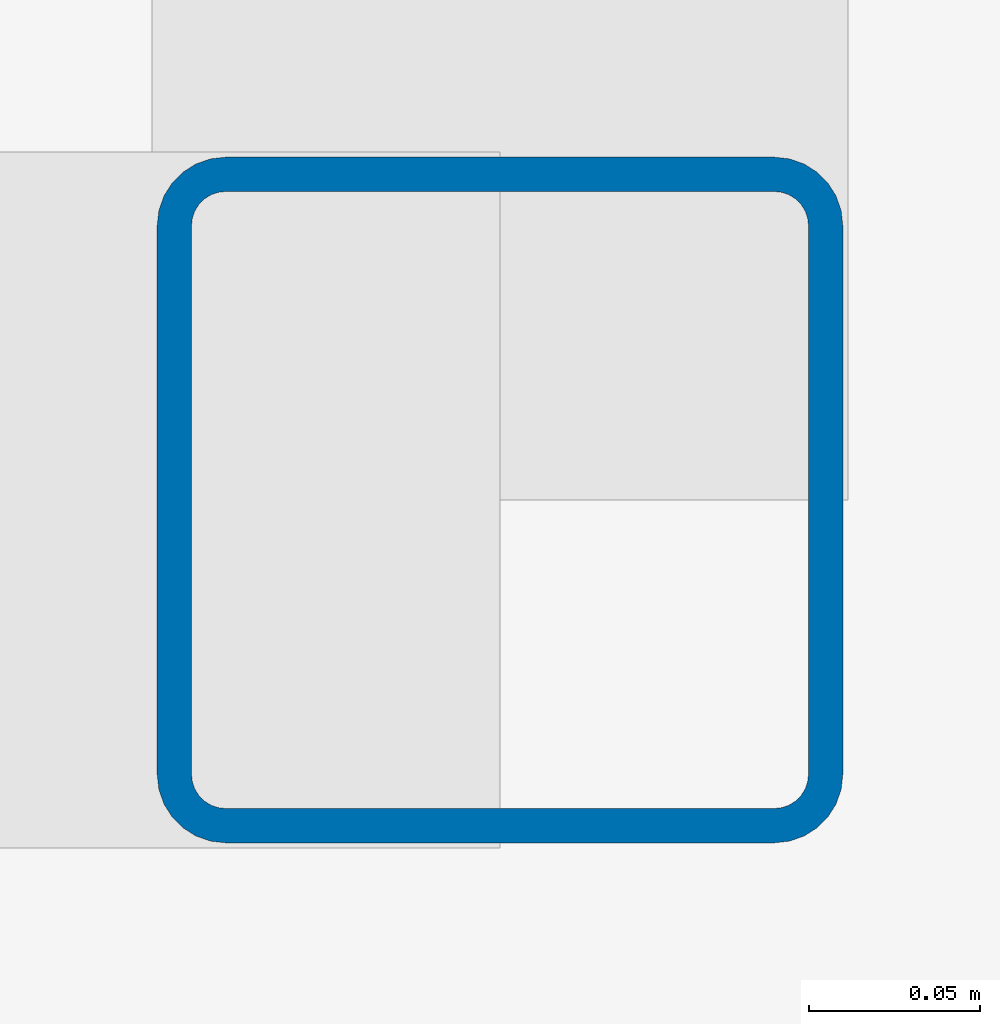
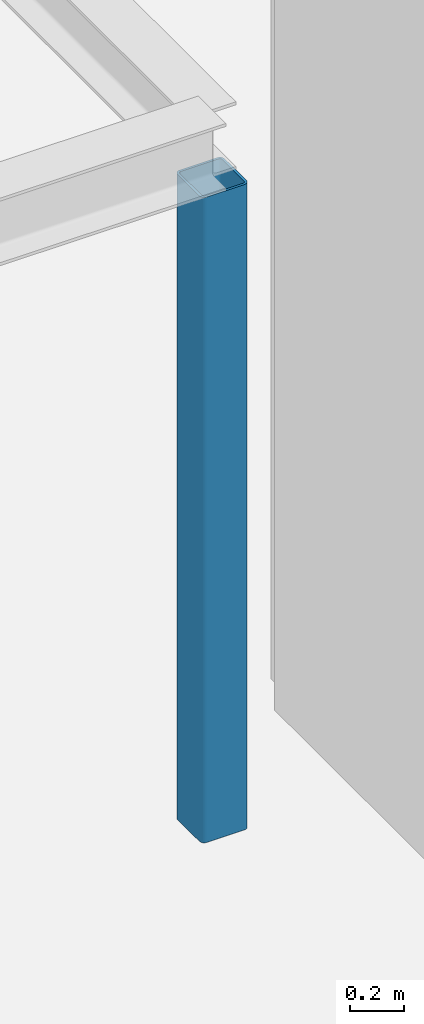
# One storey, part 5 of 49: 1 column.
"""IFC4 building model written with IfcOpenShell, lengths in metres."""

from ifc_helpers import new_model, si_unit, direction, frame, origin, origin_2d, place, context, subcontext, project, spatial, hollow_rectangle, extrude, material, material_profile, profile_set, type_object, element, save


model = new_model("IFC4")

# Units and contexts
model_context = context("Model", 3, precision=1e-05, world=origin(), true_north=direction((0.0, 1.0)))
body_context = subcontext(model_context, "Body", "Model", "MODEL_VIEW")
ifc_project = project(units=[si_unit("LENGTHUNIT", "METRE"), si_unit("AREAUNIT", "SQUARE_METRE"), si_unit("VOLUMEUNIT", "CUBIC_METRE"), si_unit("PLANEANGLEUNIT", "RADIAN"), si_unit("MASSUNIT", "GRAM", prefix="KILO")], contexts=[model_context])

# Site, building, storey
site_placement = place(None, origin())
site = spatial("IfcSite", under=ifc_project, at=site_placement, CompositionType="ELEMENT")
building_placement = place(site_placement, origin())
building = spatial("IfcBuilding", under=site, at=building_placement, Name="Sitalva Quay Ferry Terminal", CompositionType="ELEMENT")
storey_placement = place(building_placement, frame((0.0, 0.0, 10.199951171875)))
storey = spatial("IfcBuildingStorey", under=building, at=storey_placement, Name="L03", CompositionType="ELEMENT", Elevation=10.199951171875)

# Column
ifc_material = material(Name="Structural Steel S355JR", Category="steel")
ifc_material_profile = material_profile(ifc_material, hollow_rectangle(XDim=0.199951171875, YDim=0.199951171875, WallThickness=0.010009765625, InnerFilletRadius=0.010009765625, OuterFilletRadius=0.02001953125, at=origin_2d()), Name="SHS200x200x10")
ifc_profile_set = profile_set([ifc_material_profile], Name="Structural Steel S355JR")
column_type = type_object("IfcColumnType", Name="Col_SHS200x10", PredefinedType="COLUMN", material=ifc_profile_set)
column_placement = place(storey_placement, frame((142.800048828125, 30.0, 0.0), z_axis=(0.0, 0.0, 1.0), x_axis=(1.0, 0.0, 0.0)))
element("IfcColumn", 1, at=column_placement, inside=storey, type_object=column_type, Name="L03 column 18E", PredefinedType="COLUMN", context=body_context, shape_type="SweptSolid", body=[
    extrude(hollow_rectangle(XDim=0.199951171875, YDim=0.199951171875, WallThickness=0.010009765625, InnerFilletRadius=0.010009765625, OuterFilletRadius=0.02001953125, at=origin_2d()), origin(), (0.0, 0.0, 1.0), 2.89697265625),
])

save(model, "model.ifc")
